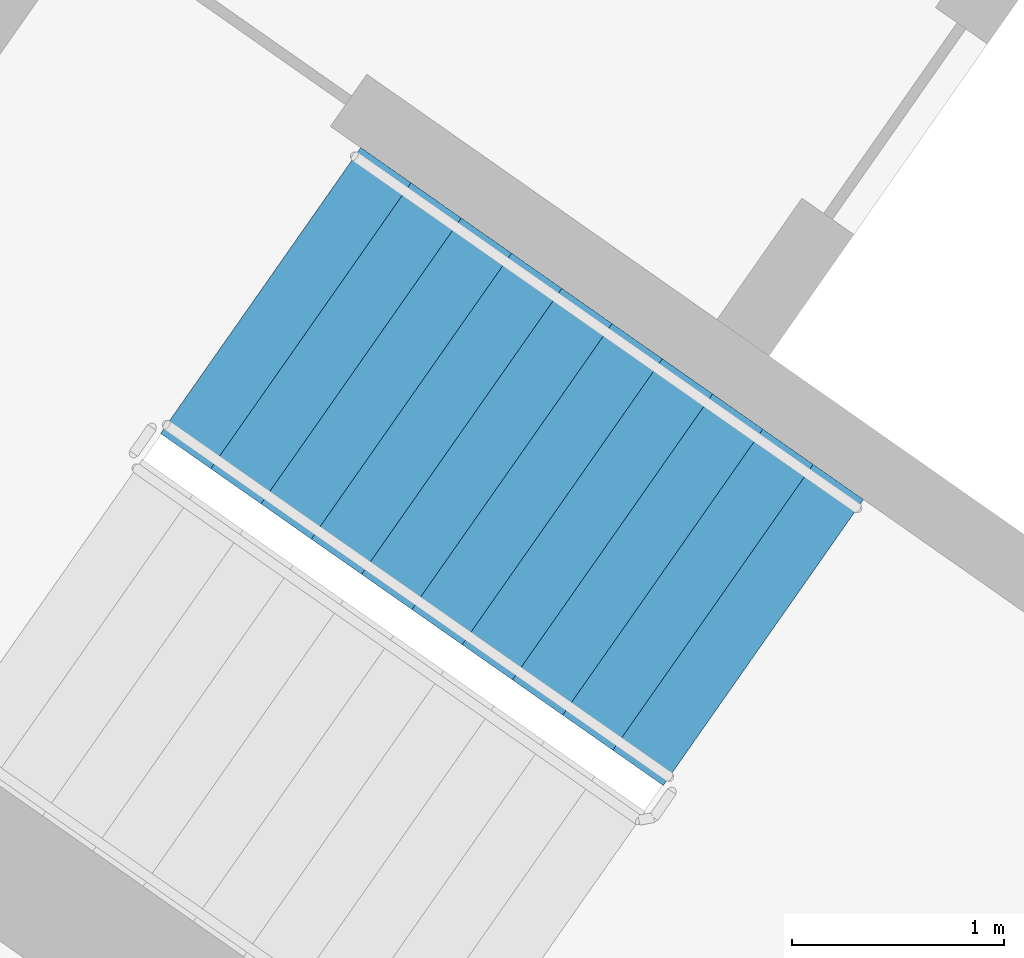
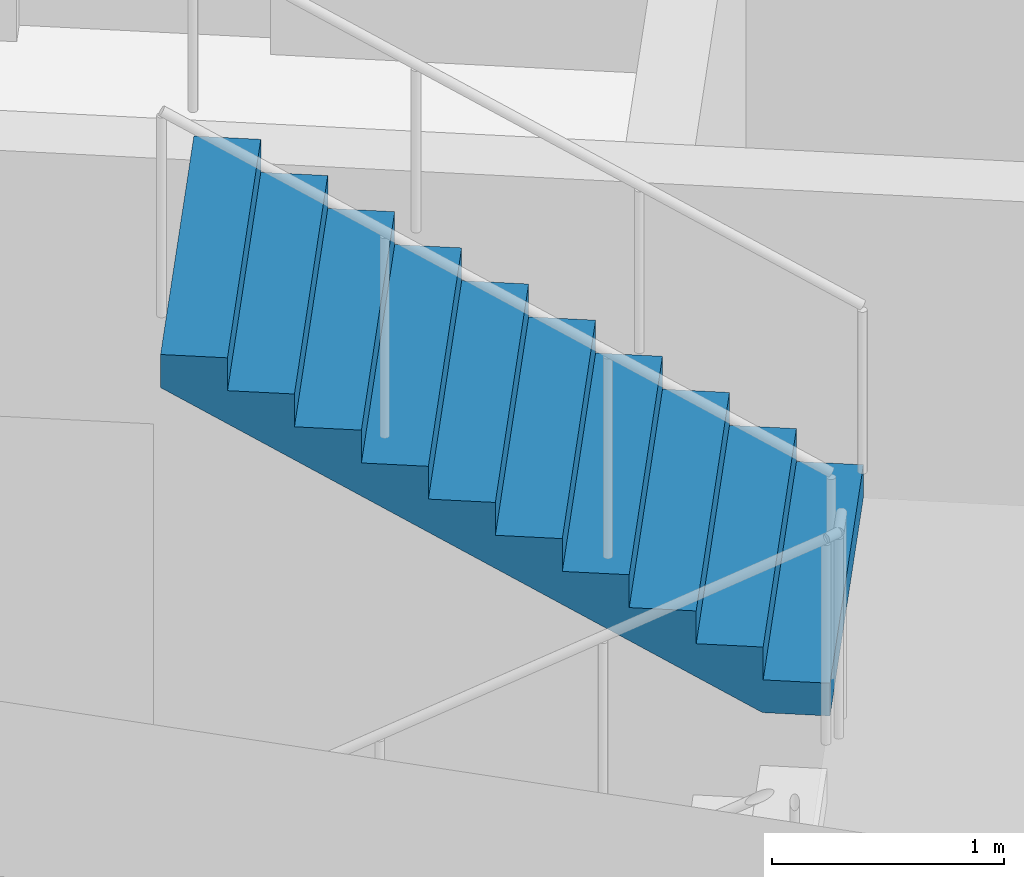
# One storey, part 10 of 28: 1 stair flight, 1 element without a shape of its own.
"""IFC4 building model written with IfcOpenShell, lengths in metres."""

from ifc_helpers import new_model, si_unit, direction, frame, origin, place, context, subcontext, project, spatial, faceted_brep, material, type_object, element, aggregate, save


model = new_model("IFC4")

# Units and contexts
model_context = context("Model", 3, precision=1e-05, world=origin(), true_north=direction((0.0, 1.0)))
body_context = subcontext(model_context, "Body", "Model", "MODEL_VIEW")
ifc_project = project(units=[si_unit("LENGTHUNIT", "METRE"), si_unit("AREAUNIT", "SQUARE_METRE"), si_unit("VOLUMEUNIT", "CUBIC_METRE"), si_unit("PLANEANGLEUNIT", "RADIAN"), si_unit("MASSUNIT", "GRAM", prefix="KILO")], contexts=[model_context])

# Site, building, storey
site_placement = place(None, origin())
site = spatial("IfcSite", under=ifc_project, at=site_placement, CompositionType="ELEMENT")
building_placement = place(site_placement, origin())
building = spatial("IfcBuilding", under=site, at=building_placement, Name="Qamariyya Broadcast Tower", CompositionType="ELEMENT")
storey_placement = place(building_placement, frame((0.0, 0.0, 226.5)))
storey = spatial("IfcBuildingStorey", under=building, at=storey_placement, Name="L54", CompositionType="ELEMENT", Elevation=226.5)

# Stair, stair flight
ifc_material = material(Name="Concrete C50/60", Category="concrete")
stair_type = type_object("IfcStairType", Name="Exit stair 22 risers of 173 mm", PredefinedType="HALF_TURN_STAIR", material=ifc_material)
stair_placement = place(storey_placement, origin())
stair = element("IfcStair", 1, at=stair_placement, inside=storey, type_object=stair_type, Name="L54 Stair W1", PredefinedType="HALF_TURN_STAIR")
stair_flight_type = type_object("IfcStairFlightType", Name="Exit stair flight 11 risers of 173 mm", PredefinedType="STRAIGHT", material=ifc_material)
stair_flight_placement = place(storey_placement, frame((-43.660888671875, -57.17138671875, 1.89990234375), z_axis=(0.0, 0.0, 1.0), x_axis=(-0.819152044289, 0.573576436351, 0.0)))
stair_flight = element("IfcStairFlight", 2, at=stair_flight_placement, type_object=stair_flight_type, Name="ST-W1 flight 2", NumberOfRisers=11, NumberOfTreads=10, PredefinedType="STRAIGHT", RiserHeight=0.172727273, TreadLength=0.29, context=body_context, shape_type="Brep", body=[
    faceted_brep([(0.0, 0.824951171875, 0.0), (0.0, 0.824951171875, 0.172607421875), (0.2900390625, 0.824951171875, 0.172607421875), (0.2900390625, 0.824951171875, 0.345458984375), (0.580078125, 0.824951171875, 0.345458984375), (0.580078125, 0.824951171875, 0.51806640625), (0.8701171875, 0.824951171875, 0.51806640625), (0.8701171875, 0.824951171875, 0.69091796875), (1.159912109375, 0.824951171875, 0.69091796875), (1.159912109375, 0.824951171875, 0.863525390625), (1.449951171875, 0.824951171875, 0.863525390625), (1.449951171875, 0.824951171875, 1.036376953125), (1.739990234375, 0.824951171875, 1.036376953125), (1.739990234375, 0.824951171875, 1.208984375), (2.030029296875, 0.824951171875, 1.208984375), (2.030029296875, 0.824951171875, 1.3818359375), (2.320068359375, 0.824951171875, 1.3818359375), (2.320068359375, 0.824951171875, 1.554443359375), (2.610107421875, 0.824951171875, 1.554443359375), (2.610107421875, 0.824951171875, 1.727294921875), (2.89990234375, 0.824951171875, 1.727294921875), (2.89990234375, 0.824951171875, 1.552734375), (0.29296875, 0.824951171875, 0.0), (0.29296875, -0.824951171875, 0.0), (2.89990234375, -0.824951171875, 1.552734375), (2.89990234375, -0.824951171875, 1.727294921875), (2.610107421875, -0.824951171875, 1.727294921875), (2.610107421875, -0.824951171875, 1.554443359375), (2.320068359375, -0.824951171875, 1.554443359375), (2.320068359375, -0.824951171875, 1.3818359375), (2.030029296875, -0.824951171875, 1.3818359375), (2.030029296875, -0.824951171875, 1.208984375), (1.739990234375, -0.824951171875, 1.208984375), (1.739990234375, -0.824951171875, 1.036376953125), (1.449951171875, -0.824951171875, 1.036376953125), (1.449951171875, -0.824951171875, 0.863525390625), (1.159912109375, -0.824951171875, 0.863525390625), (1.159912109375, -0.824951171875, 0.69091796875), (0.8701171875, -0.824951171875, 0.69091796875), (0.8701171875, -0.824951171875, 0.51806640625), (0.580078125, -0.824951171875, 0.51806640625), (0.580078125, -0.824951171875, 0.345458984375), (0.2900390625, -0.824951171875, 0.345458984375), (0.2900390625, -0.824951171875, 0.172607421875), (0.0, -0.824951171875, 0.172607421875), (0.0, -0.824951171875, 0.0), (0.0, 0.10009765625, 0.0), (0.0, 0.086669921875, 0.0), (0.0, 0.0732421875, 0.0), (0.0, 0.06005859375, 0.0), (0.0, 0.046630859375, 0.0), (0.0, 0.033447265625, 0.0), (0.0, 0.02001953125, 0.0), (0.0, 0.006591796875, 0.0), (0.0, -0.006591796875, 0.0), (0.0, -0.02001953125, 0.0), (0.0, -0.033447265625, 0.0), (0.0, -0.046630859375, 0.0), (0.0, -0.06005859375, 0.0), (0.0, -0.0732421875, 0.0), (0.0, -0.086669921875, 0.0), (0.0, -0.10009765625, 0.0), (0.0, -0.10009765625, 0.172607421875), (0.0, -0.086669921875, 0.172607421875), (0.0, -0.0732421875, 0.172607421875), (0.0, -0.06005859375, 0.172607421875), (0.0, -0.046630859375, 0.172607421875), (0.0, -0.033447265625, 0.172607421875), (0.0, -0.02001953125, 0.172607421875), (0.0, -0.006591796875, 0.172607421875), (0.0, 0.006591796875, 0.172607421875), (0.0, 0.02001953125, 0.172607421875), (0.0, 0.033447265625, 0.172607421875), (0.0, 0.046630859375, 0.172607421875), (0.0, 0.06005859375, 0.172607421875), (0.0, 0.0732421875, 0.172607421875), (0.0, 0.086669921875, 0.172607421875), (0.0, 0.10009765625, 0.172607421875), (0.2900390625, -0.10009765625, 0.172607421875), (0.2900390625, -0.086669921875, 0.172607421875), (0.2900390625, -0.0732421875, 0.172607421875), (0.2900390625, -0.06005859375, 0.172607421875), (0.2900390625, -0.046630859375, 0.172607421875), (0.2900390625, -0.033447265625, 0.172607421875), (0.2900390625, -0.02001953125, 0.172607421875), (0.2900390625, -0.006591796875, 0.172607421875), (0.2900390625, 0.006591796875, 0.172607421875), (0.2900390625, 0.02001953125, 0.172607421875), (0.2900390625, 0.033447265625, 0.172607421875), (0.2900390625, 0.046630859375, 0.172607421875), (0.2900390625, 0.06005859375, 0.172607421875), (0.2900390625, 0.0732421875, 0.172607421875), (0.2900390625, 0.086669921875, 0.172607421875), (0.2900390625, 0.10009765625, 0.172607421875), (0.2900390625, -0.10009765625, 0.345458984375), (0.2900390625, -0.086669921875, 0.345458984375), (0.2900390625, -0.0732421875, 0.345458984375), (0.2900390625, -0.06005859375, 0.345458984375), (0.2900390625, -0.046630859375, 0.345458984375), (0.2900390625, -0.033447265625, 0.345458984375), (0.2900390625, -0.02001953125, 0.345458984375), (0.2900390625, -0.006591796875, 0.345458984375), (0.2900390625, 0.006591796875, 0.345458984375), (0.2900390625, 0.02001953125, 0.345458984375), (0.2900390625, 0.033447265625, 0.345458984375), (0.2900390625, 0.046630859375, 0.345458984375), (0.2900390625, 0.06005859375, 0.345458984375), (0.2900390625, 0.0732421875, 0.345458984375), (0.2900390625, 0.086669921875, 0.345458984375), (0.2900390625, 0.10009765625, 0.345458984375), (0.580078125, -0.10009765625, 0.345458984375), (0.580078125, -0.086669921875, 0.345458984375), (0.580078125, -0.0732421875, 0.345458984375), (0.580078125, -0.06005859375, 0.345458984375), (0.580078125, -0.046630859375, 0.345458984375), (0.580078125, -0.033447265625, 0.345458984375), (0.580078125, -0.02001953125, 0.345458984375), (0.580078125, -0.006591796875, 0.345458984375), (0.580078125, 0.006591796875, 0.345458984375), (0.580078125, 0.02001953125, 0.345458984375), (0.580078125, 0.033447265625, 0.345458984375), (0.580078125, 0.046630859375, 0.345458984375), (0.580078125, 0.06005859375, 0.345458984375), (0.580078125, 0.0732421875, 0.345458984375), (0.580078125, 0.086669921875, 0.345458984375), (0.580078125, 0.10009765625, 0.345458984375), (0.580078125, -0.10009765625, 0.51806640625), (0.580078125, -0.086669921875, 0.51806640625), (0.580078125, -0.0732421875, 0.51806640625), (0.580078125, -0.06005859375, 0.51806640625), (0.580078125, -0.046630859375, 0.51806640625), (0.580078125, -0.033447265625, 0.51806640625), (0.580078125, -0.02001953125, 0.51806640625), (0.580078125, -0.006591796875, 0.51806640625), (0.580078125, 0.006591796875, 0.51806640625), (0.580078125, 0.02001953125, 0.51806640625), (0.580078125, 0.033447265625, 0.51806640625), (0.580078125, 0.046630859375, 0.51806640625), (0.580078125, 0.06005859375, 0.51806640625), (0.580078125, 0.0732421875, 0.51806640625), (0.580078125, 0.086669921875, 0.51806640625), (0.580078125, 0.10009765625, 0.51806640625), (0.8701171875, -0.10009765625, 0.51806640625), (0.8701171875, -0.086669921875, 0.51806640625), (0.8701171875, -0.0732421875, 0.51806640625), (0.8701171875, -0.06005859375, 0.51806640625), (0.8701171875, -0.046630859375, 0.51806640625), (0.8701171875, -0.033447265625, 0.51806640625), (0.8701171875, -0.02001953125, 0.51806640625), (0.8701171875, -0.006591796875, 0.51806640625), (0.8701171875, 0.006591796875, 0.51806640625), (0.8701171875, 0.02001953125, 0.51806640625), (0.8701171875, 0.033447265625, 0.51806640625), (0.8701171875, 0.046630859375, 0.51806640625), (0.8701171875, 0.06005859375, 0.51806640625), (0.8701171875, 0.0732421875, 0.51806640625), (0.8701171875, 0.086669921875, 0.51806640625), (0.8701171875, 0.10009765625, 0.51806640625), (0.8701171875, -0.10009765625, 0.69091796875), (0.8701171875, -0.086669921875, 0.69091796875), (0.8701171875, -0.0732421875, 0.69091796875), (0.8701171875, -0.06005859375, 0.69091796875), (0.8701171875, -0.046630859375, 0.69091796875), (0.8701171875, -0.033447265625, 0.69091796875), (0.8701171875, -0.02001953125, 0.69091796875), (0.8701171875, -0.006591796875, 0.69091796875), (0.8701171875, 0.006591796875, 0.69091796875), (0.8701171875, 0.02001953125, 0.69091796875), (0.8701171875, 0.033447265625, 0.69091796875), (0.8701171875, 0.046630859375, 0.69091796875), (0.8701171875, 0.06005859375, 0.69091796875), (0.8701171875, 0.0732421875, 0.69091796875), (0.8701171875, 0.086669921875, 0.69091796875), (0.8701171875, 0.10009765625, 0.69091796875), (1.159912109375, -0.10009765625, 0.69091796875), (1.159912109375, -0.086669921875, 0.69091796875), (1.159912109375, -0.0732421875, 0.69091796875), (1.159912109375, -0.06005859375, 0.69091796875), (1.159912109375, -0.046630859375, 0.69091796875), (1.159912109375, -0.033447265625, 0.69091796875), (1.159912109375, -0.02001953125, 0.69091796875), (1.159912109375, -0.006591796875, 0.69091796875), (1.159912109375, 0.006591796875, 0.69091796875), (1.159912109375, 0.02001953125, 0.69091796875), (1.159912109375, 0.033447265625, 0.69091796875), (1.159912109375, 0.046630859375, 0.69091796875), (1.159912109375, 0.06005859375, 0.69091796875), (1.159912109375, 0.0732421875, 0.69091796875), (1.159912109375, 0.086669921875, 0.69091796875), (1.159912109375, 0.10009765625, 0.69091796875), (1.159912109375, -0.10009765625, 0.863525390625), (1.159912109375, -0.086669921875, 0.863525390625), (1.159912109375, -0.0732421875, 0.863525390625), (1.159912109375, -0.06005859375, 0.863525390625), (1.159912109375, -0.046630859375, 0.863525390625), (1.159912109375, -0.033447265625, 0.863525390625), (1.159912109375, -0.02001953125, 0.863525390625), (1.159912109375, -0.006591796875, 0.863525390625), (1.159912109375, 0.006591796875, 0.863525390625), (1.159912109375, 0.02001953125, 0.863525390625), (1.159912109375, 0.033447265625, 0.863525390625), (1.159912109375, 0.046630859375, 0.863525390625), (1.159912109375, 0.06005859375, 0.863525390625), (1.159912109375, 0.0732421875, 0.863525390625), (1.159912109375, 0.086669921875, 0.863525390625), (1.159912109375, 0.10009765625, 0.863525390625), (1.449951171875, -0.10009765625, 0.863525390625), (1.449951171875, -0.086669921875, 0.863525390625), (1.449951171875, -0.0732421875, 0.863525390625), (1.449951171875, -0.06005859375, 0.863525390625), (1.449951171875, -0.046630859375, 0.863525390625), (1.449951171875, -0.033447265625, 0.863525390625), (1.449951171875, -0.02001953125, 0.863525390625), (1.449951171875, -0.006591796875, 0.863525390625), (1.449951171875, 0.006591796875, 0.863525390625), (1.449951171875, 0.02001953125, 0.863525390625), (1.449951171875, 0.033447265625, 0.863525390625), (1.449951171875, 0.046630859375, 0.863525390625), (1.449951171875, 0.06005859375, 0.863525390625), (1.449951171875, 0.0732421875, 0.863525390625), (1.449951171875, 0.086669921875, 0.863525390625), (1.449951171875, 0.10009765625, 0.863525390625), (1.449951171875, -0.10009765625, 1.036376953125), (1.449951171875, -0.086669921875, 1.036376953125), (1.449951171875, -0.0732421875, 1.036376953125), (1.449951171875, -0.06005859375, 1.036376953125), (1.449951171875, -0.046630859375, 1.036376953125), (1.449951171875, -0.033447265625, 1.036376953125), (1.449951171875, -0.02001953125, 1.036376953125), (1.449951171875, -0.006591796875, 1.036376953125), (1.449951171875, 0.006591796875, 1.036376953125), (1.449951171875, 0.02001953125, 1.036376953125), (1.449951171875, 0.033447265625, 1.036376953125), (1.449951171875, 0.046630859375, 1.036376953125), (1.449951171875, 0.06005859375, 1.036376953125), (1.449951171875, 0.0732421875, 1.036376953125), (1.449951171875, 0.086669921875, 1.036376953125), (1.449951171875, 0.10009765625, 1.036376953125), (1.739990234375, -0.10009765625, 1.036376953125), (1.739990234375, -0.086669921875, 1.036376953125), (1.739990234375, -0.0732421875, 1.036376953125), (1.739990234375, -0.06005859375, 1.036376953125), (1.739990234375, -0.046630859375, 1.036376953125), (1.739990234375, -0.033447265625, 1.036376953125), (1.739990234375, -0.02001953125, 1.036376953125), (1.739990234375, -0.006591796875, 1.036376953125), (1.739990234375, 0.006591796875, 1.036376953125), (1.739990234375, 0.02001953125, 1.036376953125), (1.739990234375, 0.033447265625, 1.036376953125), (1.739990234375, 0.046630859375, 1.036376953125), (1.739990234375, 0.06005859375, 1.036376953125), (1.739990234375, 0.0732421875, 1.036376953125), (1.739990234375, 0.086669921875, 1.036376953125), (1.739990234375, 0.10009765625, 1.036376953125), (1.739990234375, -0.10009765625, 1.208984375), (1.739990234375, -0.086669921875, 1.208984375), (1.739990234375, -0.0732421875, 1.208984375), (1.739990234375, -0.06005859375, 1.208984375), (1.739990234375, -0.046630859375, 1.208984375), (1.739990234375, -0.033447265625, 1.208984375), (1.739990234375, -0.02001953125, 1.208984375), (1.739990234375, -0.006591796875, 1.208984375), (1.739990234375, 0.006591796875, 1.208984375), (1.739990234375, 0.02001953125, 1.208984375), (1.739990234375, 0.033447265625, 1.208984375), (1.739990234375, 0.046630859375, 1.208984375), (1.739990234375, 0.06005859375, 1.208984375), (1.739990234375, 0.0732421875, 1.208984375), (1.739990234375, 0.086669921875, 1.208984375), (1.739990234375, 0.10009765625, 1.208984375), (2.030029296875, -0.10009765625, 1.208984375), (2.030029296875, -0.086669921875, 1.208984375), (2.030029296875, -0.0732421875, 1.208984375), (2.030029296875, -0.06005859375, 1.208984375), (2.030029296875, -0.046630859375, 1.208984375), (2.030029296875, -0.033447265625, 1.208984375), (2.030029296875, -0.02001953125, 1.208984375), (2.030029296875, -0.006591796875, 1.208984375), (2.030029296875, 0.006591796875, 1.208984375), (2.030029296875, 0.02001953125, 1.208984375), (2.030029296875, 0.033447265625, 1.208984375), (2.030029296875, 0.046630859375, 1.208984375), (2.030029296875, 0.06005859375, 1.208984375), (2.030029296875, 0.0732421875, 1.208984375), (2.030029296875, 0.086669921875, 1.208984375), (2.030029296875, 0.10009765625, 1.208984375), (2.030029296875, -0.10009765625, 1.3818359375), (2.030029296875, -0.086669921875, 1.3818359375), (2.030029296875, -0.0732421875, 1.3818359375), (2.030029296875, -0.06005859375, 1.3818359375), (2.030029296875, -0.046630859375, 1.3818359375), (2.030029296875, -0.033447265625, 1.3818359375), (2.030029296875, -0.02001953125, 1.3818359375), (2.030029296875, -0.006591796875, 1.3818359375), (2.030029296875, 0.006591796875, 1.3818359375), (2.030029296875, 0.02001953125, 1.3818359375), (2.030029296875, 0.033447265625, 1.3818359375), (2.030029296875, 0.046630859375, 1.3818359375), (2.030029296875, 0.06005859375, 1.3818359375), (2.030029296875, 0.0732421875, 1.3818359375), (2.030029296875, 0.086669921875, 1.3818359375), (2.030029296875, 0.10009765625, 1.3818359375), (2.320068359375, -0.10009765625, 1.3818359375), (2.320068359375, -0.086669921875, 1.3818359375), (2.320068359375, -0.0732421875, 1.3818359375), (2.320068359375, -0.06005859375, 1.3818359375), (2.320068359375, -0.046630859375, 1.3818359375), (2.320068359375, -0.033447265625, 1.3818359375), (2.320068359375, -0.02001953125, 1.3818359375), (2.320068359375, -0.006591796875, 1.3818359375), (2.320068359375, 0.006591796875, 1.3818359375), (2.320068359375, 0.02001953125, 1.3818359375), (2.320068359375, 0.033447265625, 1.3818359375), (2.320068359375, 0.046630859375, 1.3818359375), (2.320068359375, 0.06005859375, 1.3818359375), (2.320068359375, 0.0732421875, 1.3818359375), (2.320068359375, 0.086669921875, 1.3818359375), (2.320068359375, 0.10009765625, 1.3818359375), (2.320068359375, -0.10009765625, 1.554443359375), (2.320068359375, -0.086669921875, 1.554443359375), (2.320068359375, -0.0732421875, 1.554443359375), (2.320068359375, -0.06005859375, 1.554443359375), (2.320068359375, -0.046630859375, 1.554443359375), (2.320068359375, -0.033447265625, 1.554443359375), (2.320068359375, -0.02001953125, 1.554443359375), (2.320068359375, -0.006591796875, 1.554443359375), (2.320068359375, 0.006591796875, 1.554443359375), (2.320068359375, 0.02001953125, 1.554443359375), (2.320068359375, 0.033447265625, 1.554443359375), (2.320068359375, 0.046630859375, 1.554443359375), (2.320068359375, 0.06005859375, 1.554443359375), (2.320068359375, 0.0732421875, 1.554443359375), (2.320068359375, 0.086669921875, 1.554443359375), (2.320068359375, 0.10009765625, 1.554443359375), (2.610107421875, -0.10009765625, 1.554443359375), (2.610107421875, -0.086669921875, 1.554443359375), (2.610107421875, -0.0732421875, 1.554443359375), (2.610107421875, -0.06005859375, 1.554443359375), (2.610107421875, -0.046630859375, 1.554443359375), (2.610107421875, -0.033447265625, 1.554443359375), (2.610107421875, -0.02001953125, 1.554443359375), (2.610107421875, -0.006591796875, 1.554443359375), (2.610107421875, 0.006591796875, 1.554443359375), (2.610107421875, 0.02001953125, 1.554443359375), (2.610107421875, 0.033447265625, 1.554443359375), (2.610107421875, 0.046630859375, 1.554443359375), (2.610107421875, 0.06005859375, 1.554443359375), (2.610107421875, 0.0732421875, 1.554443359375), (2.610107421875, 0.086669921875, 1.554443359375), (2.610107421875, 0.10009765625, 1.554443359375), (2.610107421875, -0.10009765625, 1.727294921875), (2.610107421875, -0.086669921875, 1.727294921875), (2.610107421875, -0.0732421875, 1.727294921875), (2.610107421875, -0.06005859375, 1.727294921875), (2.610107421875, -0.046630859375, 1.727294921875), (2.610107421875, -0.033447265625, 1.727294921875), (2.610107421875, -0.02001953125, 1.727294921875), (2.610107421875, -0.006591796875, 1.727294921875), (2.610107421875, 0.006591796875, 1.727294921875), (2.610107421875, 0.02001953125, 1.727294921875), (2.610107421875, 0.033447265625, 1.727294921875), (2.610107421875, 0.046630859375, 1.727294921875), (2.610107421875, 0.06005859375, 1.727294921875), (2.610107421875, 0.0732421875, 1.727294921875), (2.610107421875, 0.086669921875, 1.727294921875), (2.610107421875, 0.10009765625, 1.727294921875), (2.89990234375, -0.10009765625, 1.727294921875), (2.89990234375, -0.086669921875, 1.727294921875), (2.89990234375, -0.0732421875, 1.727294921875), (2.89990234375, -0.06005859375, 1.727294921875), (2.89990234375, -0.046630859375, 1.727294921875), (2.89990234375, -0.033447265625, 1.727294921875), (2.89990234375, -0.02001953125, 1.727294921875), (2.89990234375, -0.006591796875, 1.727294921875), (2.89990234375, 0.006591796875, 1.727294921875), (2.89990234375, 0.02001953125, 1.727294921875), (2.89990234375, 0.033447265625, 1.727294921875), (2.89990234375, 0.046630859375, 1.727294921875), (2.89990234375, 0.06005859375, 1.727294921875), (2.89990234375, 0.0732421875, 1.727294921875), (2.89990234375, 0.086669921875, 1.727294921875), (2.89990234375, 0.10009765625, 1.727294921875), (2.89990234375, -0.10009765625, 1.552734375), (2.89990234375, -0.086669921875, 1.552734375), (2.89990234375, -0.0732421875, 1.552734375), (2.89990234375, -0.06005859375, 1.552734375), (2.89990234375, -0.046630859375, 1.552734375), (2.89990234375, -0.033447265625, 1.552734375), (2.89990234375, -0.02001953125, 1.552734375), (2.89990234375, -0.006591796875, 1.552734375), (2.89990234375, 0.006591796875, 1.552734375), (2.89990234375, 0.02001953125, 1.552734375), (2.89990234375, 0.033447265625, 1.552734375), (2.89990234375, 0.046630859375, 1.552734375), (2.89990234375, 0.06005859375, 1.552734375), (2.89990234375, 0.0732421875, 1.552734375), (2.89990234375, 0.086669921875, 1.552734375), (2.89990234375, 0.10009765625, 1.552734375), (0.29296875, -0.10009765625, 0.0), (0.29296875, -0.086669921875, 0.0), (0.29296875, -0.0732421875, 0.0), (0.29296875, -0.06005859375, 0.0), (0.29296875, -0.046630859375, 0.0), (0.29296875, -0.033447265625, 0.0), (0.29296875, -0.02001953125, 0.0), (0.29296875, -0.006591796875, 0.0), (0.29296875, 0.006591796875, 0.0), (0.29296875, 0.02001953125, 0.0), (0.29296875, 0.033447265625, 0.0), (0.29296875, 0.046630859375, 0.0), (0.29296875, 0.06005859375, 0.0), (0.29296875, 0.0732421875, 0.0), (0.29296875, 0.086669921875, 0.0), (0.29296875, 0.10009765625, 0.0)], [[[0, 1, 2, 3, 4, 5, 6, 7, 8, 9, 10, 11, 12, 13, 14, 15, 16, 17, 18, 19, 20, 21, 22]], [[23, 24, 25, 26, 27, 28, 29, 30, 31, 32, 33, 34, 35, 36, 37, 38, 39, 40, 41, 42, 43, 44, 45]], [[0, 46, 47, 48, 49, 50, 51, 52, 53, 54, 55, 56, 57, 58, 59, 60, 61, 45, 44, 62, 63, 64, 65, 66, 67, 68, 69, 70, 71, 72, 73, 74, 75, 76, 77, 1]], [[1, 77, 76, 75, 74, 73, 72, 71, 70, 69, 68, 67, 66, 65, 64, 63, 62, 44, 43, 78, 79, 80, 81, 82, 83, 84, 85, 86, 87, 88, 89, 90, 91, 92, 93, 2]], [[2, 93, 92, 91, 90, 89, 88, 87, 86, 85, 84, 83, 82, 81, 80, 79, 78, 43, 42, 94, 95, 96, 97, 98, 99, 100, 101, 102, 103, 104, 105, 106, 107, 108, 109, 3]], [[3, 109, 108, 107, 106, 105, 104, 103, 102, 101, 100, 99, 98, 97, 96, 95, 94, 42, 41, 110, 111, 112, 113, 114, 115, 116, 117, 118, 119, 120, 121, 122, 123, 124, 125, 4]], [[4, 125, 124, 123, 122, 121, 120, 119, 118, 117, 116, 115, 114, 113, 112, 111, 110, 41, 40, 126, 127, 128, 129, 130, 131, 132, 133, 134, 135, 136, 137, 138, 139, 140, 141, 5]], [[5, 141, 140, 139, 138, 137, 136, 135, 134, 133, 132, 131, 130, 129, 128, 127, 126, 40, 39, 142, 143, 144, 145, 146, 147, 148, 149, 150, 151, 152, 153, 154, 155, 156, 157, 6]], [[6, 157, 156, 155, 154, 153, 152, 151, 150, 149, 148, 147, 146, 145, 144, 143, 142, 39, 38, 158, 159, 160, 161, 162, 163, 164, 165, 166, 167, 168, 169, 170, 171, 172, 173, 7]], [[7, 173, 172, 171, 170, 169, 168, 167, 166, 165, 164, 163, 162, 161, 160, 159, 158, 38, 37, 174, 175, 176, 177, 178, 179, 180, 181, 182, 183, 184, 185, 186, 187, 188, 189, 8]], [[8, 189, 188, 187, 186, 185, 184, 183, 182, 181, 180, 179, 178, 177, 176, 175, 174, 37, 36, 190, 191, 192, 193, 194, 195, 196, 197, 198, 199, 200, 201, 202, 203, 204, 205, 9]], [[9, 205, 204, 203, 202, 201, 200, 199, 198, 197, 196, 195, 194, 193, 192, 191, 190, 36, 35, 206, 207, 208, 209, 210, 211, 212, 213, 214, 215, 216, 217, 218, 219, 220, 221, 10]], [[10, 221, 220, 219, 218, 217, 216, 215, 214, 213, 212, 211, 210, 209, 208, 207, 206, 35, 34, 222, 223, 224, 225, 226, 227, 228, 229, 230, 231, 232, 233, 234, 235, 236, 237, 11]], [[11, 237, 236, 235, 234, 233, 232, 231, 230, 229, 228, 227, 226, 225, 224, 223, 222, 34, 33, 238, 239, 240, 241, 242, 243, 244, 245, 246, 247, 248, 249, 250, 251, 252, 253, 12]], [[12, 253, 252, 251, 250, 249, 248, 247, 246, 245, 244, 243, 242, 241, 240, 239, 238, 33, 32, 254, 255, 256, 257, 258, 259, 260, 261, 262, 263, 264, 265, 266, 267, 268, 269, 13]], [[13, 269, 268, 267, 266, 265, 264, 263, 262, 261, 260, 259, 258, 257, 256, 255, 254, 32, 31, 270, 271, 272, 273, 274, 275, 276, 277, 278, 279, 280, 281, 282, 283, 284, 285, 14]], [[14, 285, 284, 283, 282, 281, 280, 279, 278, 277, 276, 275, 274, 273, 272, 271, 270, 31, 30, 286, 287, 288, 289, 290, 291, 292, 293, 294, 295, 296, 297, 298, 299, 300, 301, 15]], [[15, 301, 300, 299, 298, 297, 296, 295, 294, 293, 292, 291, 290, 289, 288, 287, 286, 30, 29, 302, 303, 304, 305, 306, 307, 308, 309, 310, 311, 312, 313, 314, 315, 316, 317, 16]], [[16, 317, 316, 315, 314, 313, 312, 311, 310, 309, 308, 307, 306, 305, 304, 303, 302, 29, 28, 318, 319, 320, 321, 322, 323, 324, 325, 326, 327, 328, 329, 330, 331, 332, 333, 17]], [[17, 333, 332, 331, 330, 329, 328, 327, 326, 325, 324, 323, 322, 321, 320, 319, 318, 28, 27, 334, 335, 336, 337, 338, 339, 340, 341, 342, 343, 344, 345, 346, 347, 348, 349, 18]], [[18, 349, 348, 347, 346, 345, 344, 343, 342, 341, 340, 339, 338, 337, 336, 335, 334, 27, 26, 350, 351, 352, 353, 354, 355, 356, 357, 358, 359, 360, 361, 362, 363, 364, 365, 19]], [[19, 365, 364, 363, 362, 361, 360, 359, 358, 357, 356, 355, 354, 353, 352, 351, 350, 26, 25, 366, 367, 368, 369, 370, 371, 372, 373, 374, 375, 376, 377, 378, 379, 380, 381, 20]], [[20, 381, 380, 379, 378, 377, 376, 375, 374, 373, 372, 371, 370, 369, 368, 367, 366, 25, 24, 382, 383, 384, 385, 386, 387, 388, 389, 390, 391, 392, 393, 394, 395, 396, 397, 21]], [[21, 397, 396, 395, 394, 393, 392, 391, 390, 389, 388, 387, 386, 385, 384, 383, 382, 24, 23, 398, 399, 400, 401, 402, 403, 404, 405, 406, 407, 408, 409, 410, 411, 412, 413, 22]], [[22, 413, 412, 411, 410, 409, 408, 407, 406, 405, 404, 403, 402, 401, 400, 399, 398, 23, 45, 61, 60, 59, 58, 57, 56, 55, 54, 53, 52, 51, 50, 49, 48, 47, 46, 0]]]),
])
aggregate(stair, [stair_flight])

save(model, "model.ifc")
